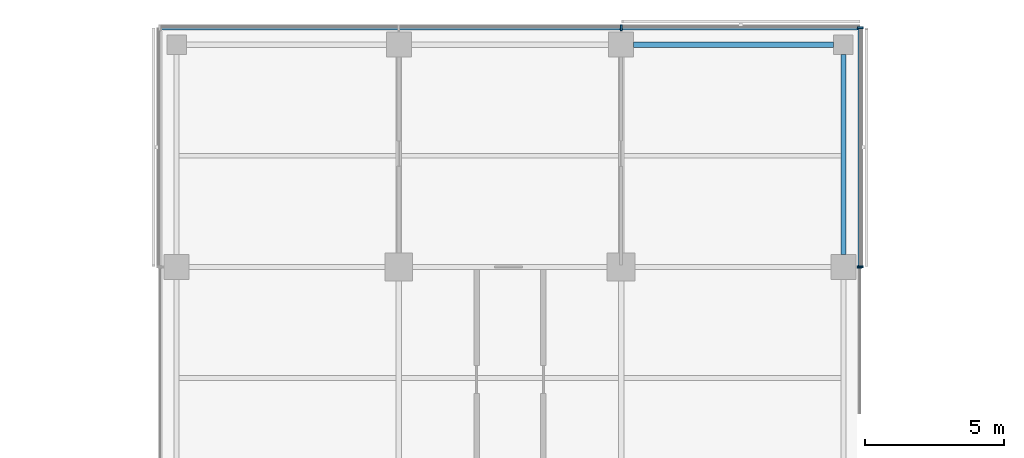
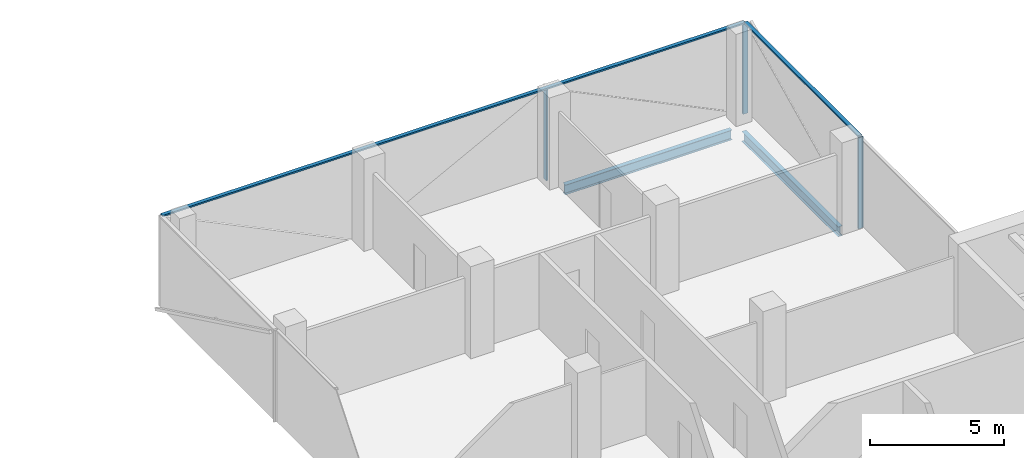
# One storey, part 10 of 22: 6 members, 2 beams, 3 elements without a shape of their own.
"""IFC4 building model written with IfcOpenShell, lengths in metres."""

from ifc_helpers import new_model, si_unit, direction, frame, origin, origin_2d, place, context, subcontext, project, spatial, rectangle, i_section, extrude, material, material_profile, profile_set, type_object, element, aggregate, save


model = new_model("IFC4")

# Units and contexts
model_context = context("Model", 3, precision=1e-05, world=origin(), true_north=direction((0.0, 1.0)))
body_context = subcontext(model_context, "Body", "Model", "MODEL_VIEW")
ifc_project = project(units=[si_unit("LENGTHUNIT", "METRE"), si_unit("AREAUNIT", "SQUARE_METRE"), si_unit("VOLUMEUNIT", "CUBIC_METRE"), si_unit("PLANEANGLEUNIT", "RADIAN"), si_unit("MASSUNIT", "GRAM", prefix="KILO")], contexts=[model_context])

# Site, building, storey
site_placement = place(None, origin())
site = spatial("IfcSite", under=ifc_project, at=site_placement, CompositionType="ELEMENT")
building_placement = place(site_placement, origin())
building = spatial("IfcBuilding", under=site, at=building_placement, Name="Crosswind Convention Tower", CompositionType="ELEMENT")
storey_placement = place(building_placement, frame((0.0, 0.0, 137.89990234375)))
storey = spatial("IfcBuildingStorey", under=building, at=storey_placement, Name="L28", CompositionType="ELEMENT", Elevation=137.89990234375)

# Beams
ifc_material_1 = material(Name="Steel S355", Category="steel")
ifc_material_profile_1 = material_profile(ifc_material_1, i_section(OverallWidth=0.18994140625, OverallDepth=0.45361328125, WebThickness=0.008544921875, FlangeThickness=0.0126953125, FilletRadius=0.01025390625, at=origin_2d()), Name="UB 457x191x67")
ifc_profile_set_1 = profile_set([ifc_material_profile_1], Name="Steel S355")
beam_type = type_object("IfcBeamType", Name="Edge beam UB 457x191x67", PredefinedType="SPANDREL", material=ifc_profile_set_1)
for number, where, z_axis, x_axis, name in (
    (1, (129.449951171875, 128.0, -0.526611328125), (1.0, 0.0, 0.0), (0.0, 1.0, 0.0), "B16 L28 edge beam 15"),
    (2, (137.0, 120.449951171875, -0.526611328125), (0.0, 1.0, 0.0), (-1.0, 0.0, 0.0), "B16 L28 edge beam 19"),
):
    element("IfcBeam", number, at=place(storey_placement, frame(where, z_axis=z_axis, x_axis=x_axis)), inside=storey, type_object=beam_type, Name=name, PredefinedType="SPANDREL", context=body_context, shape_type="SweptSolid", body=[
        extrude(i_section(OverallWidth=0.18994140625, OverallDepth=0.45361328125, WebThickness=0.008544921875, FlangeThickness=0.0126953125, FilletRadius=0.01025390625, at=origin_2d()), origin(), (0.0, 0.0, 1.0), 7.199951171875),
    ])

# Curtain wall, member
ifc_material_2 = material(Name="Aluminium unitised curtain wall", Category="aluminium")
curtain_wall_type_1 = type_object("IfcCurtainWallType", Name="CORE END SLOT WALL 160", PredefinedType="USERDEFINED", material=ifc_material_2)
curtain_wall_1_placement = place(storey_placement, origin())
curtain_wall_1 = element("IfcCurtainWall", 3, at=curtain_wall_1_placement, inside=storey, type_object=curtain_wall_type_1, Name="CW6 L28 N-E.1-1 slot", ObjectType="UNITISED", PredefinedType="USERDEFINED")
ifc_material_3 = material(Name="Aluminium mullion", Category="aluminium")
ifc_material_profile_2 = material_profile(ifc_material_3, rectangle(XDim=0.159912109375, YDim=0.050048828125, at=origin_2d()), Name="AL 160X50")
ifc_profile_set_2 = profile_set([ifc_material_profile_2], Name="Aluminium mullion")
member_type_1 = type_object("IfcMemberType", Name="MULLION 50X160", PredefinedType="MULLION", material=ifc_profile_set_2)
member_1_placement = place(storey_placement, frame((137.580078125, 119.97509765625, -0.2998046875), z_axis=(0.0, 0.0, 1.0), x_axis=(1.0, 0.0, 0.0)))
member_1 = element("IfcMember", 4, at=member_1_placement, type_object=member_type_1, Name="CW6 mullion 2", PredefinedType="MULLION", context=body_context, shape_type="SweptSolid", body=[
    extrude(rectangle(XDim=0.159912109375, YDim=0.050048828125, at=origin_2d()), origin(), (0.0, 0.0, 1.0), 4.14990234375),
])
aggregate(curtain_wall_1, [member_1])

# Curtain wall, members
curtain_wall_type_2 = type_object("IfcCurtainWallType", Name="OFFICE UNITISED WALL 220", PredefinedType="USERDEFINED", material=ifc_material_2)
curtain_wall_2_placement = place(storey_placement, origin())
curtain_wall_2 = element("IfcCurtainWall", 5, at=curtain_wall_2_placement, inside=storey, type_object=curtain_wall_type_2, Name="CW3 L28 N-E 1", ObjectType="UNITISED", PredefinedType="USERDEFINED")
ifc_material_profile_3 = material_profile(ifc_material_3, rectangle(XDim=0.219970703125, YDim=0.070068359375, at=origin_2d()), Name="AL 220X70")
ifc_profile_set_3 = profile_set([ifc_material_profile_3], Name="Aluminium mullion")
member_type_2 = type_object("IfcMemberType", Name="MULLION 70X220", PredefinedType="MULLION", material=ifc_profile_set_3)
member_2_placement = place(storey_placement, frame((137.610107421875, 120.0, -0.2998046875), z_axis=(0.0, 0.0, 1.0), x_axis=(1.0, 0.0, 0.0)))
member_2 = element("IfcMember", 6, at=member_2_placement, type_object=member_type_2, Name="CW3 mullion 1", PredefinedType="MULLION", context=body_context, shape_type="SweptSolid", body=[
    extrude(rectangle(XDim=0.219970703125, YDim=0.070068359375, at=origin_2d()), origin(), (0.0, 0.0, 1.0), 4.1298828125),
])
member_3_placement = place(storey_placement, frame((137.610107421875, 128.610107421875, -0.2998046875), z_axis=(0.0, 0.0, 1.0), x_axis=(1.0, 0.0, 0.0)))
member_3 = element("IfcMember", 7, at=member_3_placement, type_object=member_type_2, Name="CW3 mullion 2", PredefinedType="MULLION", context=body_context, shape_type="SweptSolid", body=[
    extrude(rectangle(XDim=0.219970703125, YDim=0.070068359375, at=origin_2d()), origin(), (0.0, 0.0, 1.0), 4.1298828125),
])

# Curtain wall, member
curtain_wall_3_placement = place(storey_placement, origin())
curtain_wall_3 = element("IfcCurtainWall", 8, at=curtain_wall_3_placement, inside=storey, type_object=curtain_wall_type_2, Name="CW3 L28 N-TIP 1", ObjectType="UNITISED", PredefinedType="USERDEFINED")
member_4_placement = place(storey_placement, frame((129.0, 128.610107421875, -0.2998046875), z_axis=(0.0, 0.0, 1.0), x_axis=(0.0, 1.0, 0.0)))
member_4 = element("IfcMember", 9, at=member_4_placement, type_object=member_type_2, Name="CW3 mullion 2", PredefinedType="MULLION", context=body_context, shape_type="SweptSolid", body=[
    extrude(rectangle(XDim=0.219970703125, YDim=0.070068359375, at=origin_2d()), origin(), (0.0, 0.0, 1.0), 4.1298828125),
])

# Member
ifc_material_4 = material(Name="Aluminium transom", Category="aluminium")
ifc_material_profile_4 = material_profile(ifc_material_4, rectangle(XDim=0.159912109375, YDim=0.070068359375, at=origin_2d()), Name="AL 160X70")
ifc_profile_set_4 = profile_set([ifc_material_profile_4], Name="Aluminium transom")
member_type_3 = type_object("IfcMemberType", Name="TRANSOM 70X160", PredefinedType="USERDEFINED", material=ifc_profile_set_4)
member_5_placement = place(storey_placement, frame((137.610107421875, 120.034912109375, 3.864990234375), z_axis=(0.0, 1.0, 0.0), x_axis=(-1.0, 0.0, 0.0)))
member_5 = element("IfcMember", 10, at=member_5_placement, type_object=member_type_3, Name="CW3 transom", ObjectType="TRANSOM", PredefinedType="USERDEFINED", context=body_context, shape_type="SweptSolid", body=[
    extrude(rectangle(XDim=0.159912109375, YDim=0.070068359375, at=origin_2d()), origin(), (0.0, 0.0, 1.0), 8.5400390625),
])

aggregate(curtain_wall_2, [member_2, member_3, member_5])

member_6_placement = place(storey_placement, frame((137.574951171875, 128.610107421875, 3.864990234375), z_axis=(-1.0, 0.0, 0.0), x_axis=(0.0, -1.0, 0.0)))
member_6 = element("IfcMember", 11, at=member_6_placement, type_object=member_type_3, Name="CW3 transom", ObjectType="TRANSOM", PredefinedType="USERDEFINED", context=body_context, shape_type="SweptSolid", body=[
    extrude(rectangle(XDim=0.159912109375, YDim=0.070068359375, at=origin_2d()), origin(), (0.0, 0.0, 1.0), 25.14990234375),
])

aggregate(curtain_wall_3, [member_4, member_6])

save(model, "model.ifc")
